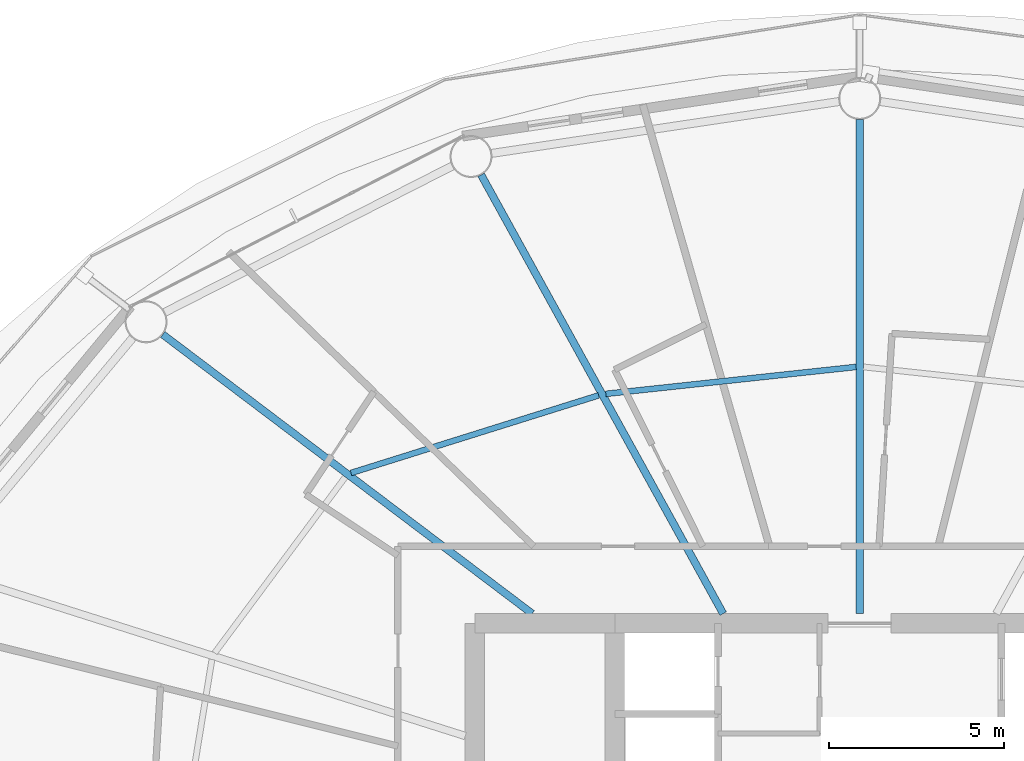
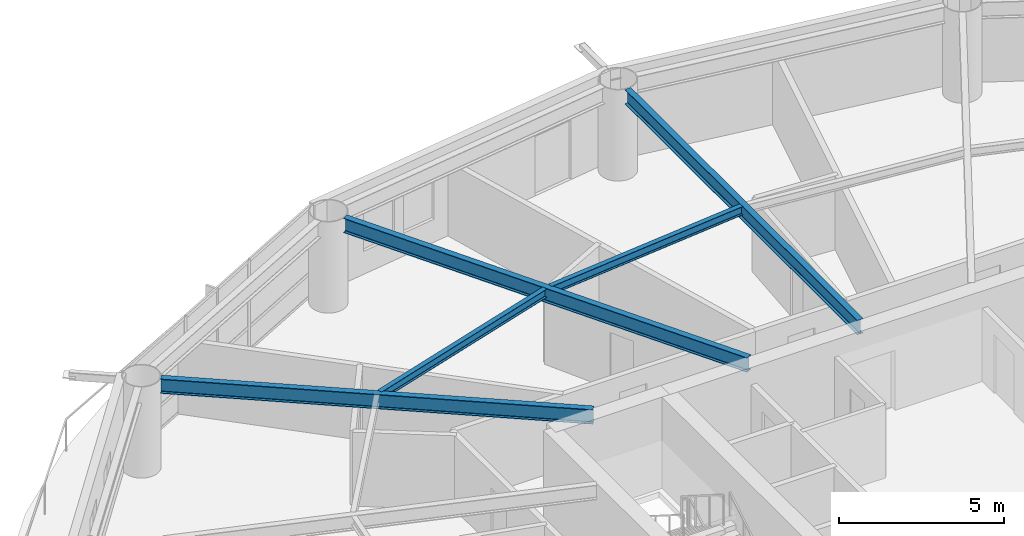
# One storey, part 9 of 24: 5 beams.
"""IFC4 building model written with IfcOpenShell, lengths in metres."""

from ifc_helpers import new_model, si_unit, direction, frame, origin, origin_2d, place, context, subcontext, project, spatial, i_section, extrude, material, material_profile, profile_set, type_object, element, save


model = new_model("IFC4")

# Units and contexts
model_context = context("Model", 3, precision=1e-05, world=origin(), true_north=direction((0.0, 1.0)))
body_context = subcontext(model_context, "Body", "Model", "MODEL_VIEW")
ifc_project = project(units=[si_unit("LENGTHUNIT", "METRE"), si_unit("AREAUNIT", "SQUARE_METRE"), si_unit("VOLUMEUNIT", "CUBIC_METRE"), si_unit("PLANEANGLEUNIT", "RADIAN"), si_unit("MASSUNIT", "GRAM", prefix="KILO")], contexts=[model_context])

# Site, building, storey
site_placement = place(None, origin())
site = spatial("IfcSite", under=ifc_project, at=site_placement, CompositionType="ELEMENT")
building_placement = place(site_placement, origin())
building = spatial("IfcBuilding", under=site, at=building_placement, Name="Sarneth Arch Tower", CompositionType="ELEMENT")
storey_placement = place(building_placement, frame((0.0, 0.0, 98.39990234375)))
storey = spatial("IfcBuildingStorey", under=building, at=storey_placement, Name="L24", CompositionType="ELEMENT", Elevation=98.39990234375)

# Beams
ifc_material_1 = material(Name="Steel S355", Category="steel")
ifc_material_profile_1 = material_profile(ifc_material_1, i_section(OverallWidth=0.1669921875, OverallDepth=0.31689453125, WebThickness=0.007568359375, FlangeThickness=0.01318359375, FilletRadius=0.012939453125, at=origin_2d()), Name="W310x52")
ifc_profile_set_1 = profile_set([ifc_material_profile_1], Name="Steel S355")
beam_type_1 = type_object("IfcBeamType", Name="BM-JOIST-310B", PredefinedType="JOIST", material=ifc_profile_set_1)
beam_1_placement = place(storey_placement, frame((47.89501953125, 56.126220703125, 3.2216796875), z_axis=(-0.994257420028, -0.107014871487, 0.0), x_axis=(0.107014871487, -0.994257420028, 0.0)))
element("IfcBeam", 1, at=beam_1_placement, inside=storey, type_object=beam_type_1, Name="L24 Secondary floor joist 05", PredefinedType="JOIST", context=body_context, shape_type="SweptSolid", body=[
    extrude(i_section(OverallWidth=0.1669921875, OverallDepth=0.31689453125, WebThickness=0.007568359375, FlangeThickness=0.01318359375, FilletRadius=0.012939453125, at=origin_2d()), origin(), (0.0, 0.0, 1.0), 7.193115234375),
])
beam_2_placement = place(storey_placement, frame((40.53759765625, 55.3134765625, 3.2216796875), z_axis=(-0.954245982384, -0.299022750146, 0.0), x_axis=(0.299022750146, -0.954245982384, 0.0)))
element("IfcBeam", 2, at=beam_2_placement, inside=storey, type_object=beam_type_1, Name="L24 Secondary floor joist 06", PredefinedType="JOIST", context=body_context, shape_type="SweptSolid", body=[
    extrude(i_section(OverallWidth=0.1669921875, OverallDepth=0.31689453125, WebThickness=0.007568359375, FlangeThickness=0.01318359375, FilletRadius=0.012939453125, at=origin_2d()), origin(), (0.0, 0.0, 1.0), 7.416748046875),
])
ifc_material_2 = material(Name="Steel S355", Category="steel")
ifc_material_profile_2 = material_profile(ifc_material_2, i_section(OverallWidth=0.2109375, OverallDepth=0.5390625, WebThickness=0.01171875, FlangeThickness=0.018798828125, FilletRadius=0.01806640625, at=origin_2d()), Name="W530x109")
ifc_profile_set_2 = profile_set([ifc_material_profile_2], Name="Steel S355")
beam_type_2 = type_object("IfcBeamType", Name="BM-RAD-530B", PredefinedType="BEAM", material=ifc_profile_set_2)
beam_3_placement = place(storey_placement, frame((48.0, 49.074951171875, 3.110595703125), z_axis=(0.0, 1.0, 0.0), x_axis=(-1.0, 0.0, 0.0)))
element("IfcBeam", 3, at=beam_3_placement, inside=storey, type_object=beam_type_2, Name="L24 Radial floor girder 05", PredefinedType="BEAM", context=body_context, shape_type="SweptSolid", body=[
    extrude(i_section(OverallWidth=0.2109375, OverallDepth=0.5390625, WebThickness=0.01171875, FlangeThickness=0.018798828125, FilletRadius=0.01806640625, at=origin_2d()), origin(), (0.0, 0.0, 1.0), 14.125),
])
beam_4_placement = place(storey_placement, frame((44.09716796875, 49.074951171875, 3.110595703125), z_axis=(-0.483021011336, 0.875608761153, 0.0), x_axis=(-0.875608761153, -0.483021011336, 0.0)))
element("IfcBeam", 4, at=beam_4_placement, inside=storey, type_object=beam_type_2, Name="L24 Radial floor girder 06", PredefinedType="BEAM", context=body_context, shape_type="SweptSolid", body=[
    extrude(i_section(OverallWidth=0.2109375, OverallDepth=0.5390625, WebThickness=0.01171875, FlangeThickness=0.018798828125, FilletRadius=0.01806640625, at=origin_2d()), origin(), (0.0, 0.0, 1.0), 14.32177734375),
])
beam_5_placement = place(storey_placement, frame((38.63818359375, 49.074951171875, 3.110595703125), z_axis=(-0.797802835234, 0.602918432371, 0.0), x_axis=(-0.602918432371, -0.797802835234, 0.0)))
element("IfcBeam", 5, at=beam_5_placement, inside=storey, type_object=beam_type_2, Name="L24 Radial floor girder 07", PredefinedType="BEAM", context=body_context, shape_type="SweptSolid", body=[
    extrude(i_section(OverallWidth=0.2109375, OverallDepth=0.5390625, WebThickness=0.01171875, FlangeThickness=0.018798828125, FilletRadius=0.01806640625, at=origin_2d()), origin(), (0.0, 0.0, 1.0), 13.232666015625),
])

save(model, "model.ifc")
